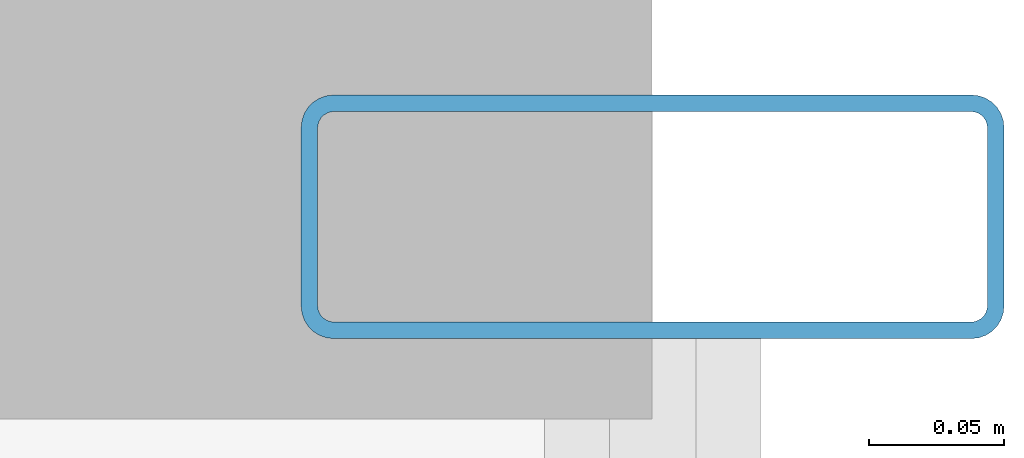
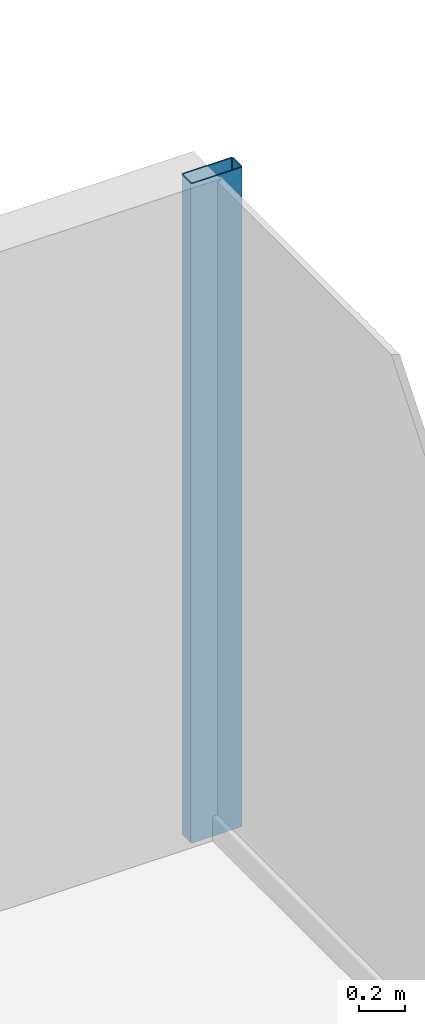
# One storey, part 18 of 26: 1 member, 1 element without a shape of its own.
"""IFC4 building model written with IfcOpenShell, lengths in metres."""

from ifc_helpers import new_model, si_unit, direction, frame, origin, origin_2d, place, context, subcontext, project, spatial, hollow_rectangle, extrude, source, transform, mapped, material, layer, layer_set, material_profile, profile_set, type_object, element, aggregate, save


model = new_model("IFC4")

# Units and contexts
model_context = context("Model", 3, precision=1e-05, world=origin(), true_north=direction((0.0, 1.0)))
body_context = subcontext(model_context, "Body", "Model", "MODEL_VIEW")
ifc_project = project(units=[si_unit("LENGTHUNIT", "METRE"), si_unit("AREAUNIT", "SQUARE_METRE"), si_unit("VOLUMEUNIT", "CUBIC_METRE"), si_unit("PLANEANGLEUNIT", "RADIAN"), si_unit("MASSUNIT", "GRAM", prefix="KILO")], contexts=[model_context])

# Site, building, storey
site_placement = place(None, origin())
site = spatial("IfcSite", under=ifc_project, at=site_placement, CompositionType="ELEMENT")
building_placement = place(site_placement, origin())
building = spatial("IfcBuilding", under=site, at=building_placement, Name="Nefas-Gora Pilgrimage Tower", CompositionType="ELEMENT")
storey_placement = place(building_placement, frame((0.0, 0.0, 140.199951171875)))
storey = spatial("IfcBuildingStorey", under=building, at=storey_placement, Name="L34", CompositionType="ELEMENT", Elevation=140.199951171875)

# Curtain wall, member
ifc_material_1 = material(Name="Dark ceramic-fritted solar-control aluminium-glass curtain wall", Category="aluminium")
ifc_layer = layer(ifc_material_1, 0.219970703125)
ifc_layer_set = layer_set([ifc_layer], Name="Dark ceramic-fritted solar-control aluminium-glass curtain wall")
curtain_wall_type = type_object("IfcCurtainWallType", Name="CW-SYS-2", PredefinedType="NOTDEFINED", material=ifc_layer_set)
curtain_wall_placement = place(storey_placement, origin())
curtain_wall = element("IfcCurtainWall", 1, at=curtain_wall_placement, inside=storey, type_object=curtain_wall_type, Name="L34 Unitised Curtain Wall CW2", PredefinedType="NOTDEFINED")
ifc_material_2 = material(Name="Anodised architectural aluminium", Category="aluminium")
ifc_material_profile = material_profile(ifc_material_2, hollow_rectangle(XDim=0.090087890625, YDim=0.260009765625, WallThickness=0.006103515625, InnerFilletRadius=0.006103515625, OuterFilletRadius=0.011962890625, at=origin_2d()), Name="ALU MULLION 90x260")
ifc_profile_set = profile_set([ifc_material_profile], Name="Anodised architectural aluminium")
member_type = type_object("IfcMemberType", Name="CWM-MUL-2", PredefinedType="MULLION", material=ifc_profile_set)
shared_shape = source(origin(), body_context, "Body", "SweptSolid", [
    extrude(hollow_rectangle(XDim=0.090087890625, YDim=0.260009765625, WallThickness=0.006103515625, InnerFilletRadius=0.006103515625, OuterFilletRadius=0.011962890625, at=origin_2d()), origin(), (0.0, 0.0, 1.0), 3.5),
])
member_placement = place(storey_placement, frame((34.27001953125, 17.574951171875, 0.0), z_axis=(0.0, 0.0, 1.0), x_axis=(0.0, 1.0, 0.0)))
member = element("IfcMember", 2, at=member_placement, type_object=member_type, Name="CW2 Mullion 2", PredefinedType="MULLION", context=body_context, shape_type="MappedRepresentation", body=[
    mapped(shared_shape, transform((0.0, 0.0, 0.0), x_axis=(1.0, 0.0, 0.0), y_axis=(0.0, 1.0, 0.0), z_axis=(0.0, 0.0, 1.0), scale=1.0)),
])
aggregate(curtain_wall, [member])

save(model, "model.ifc")
